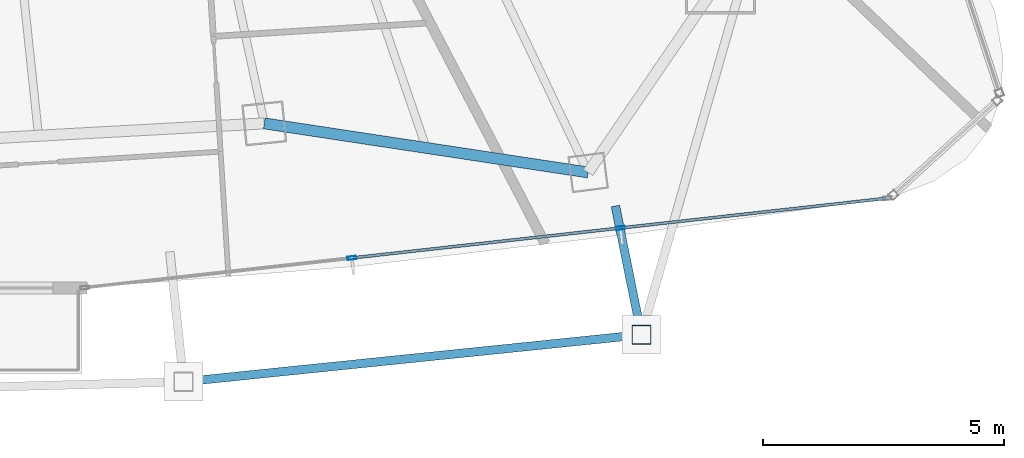
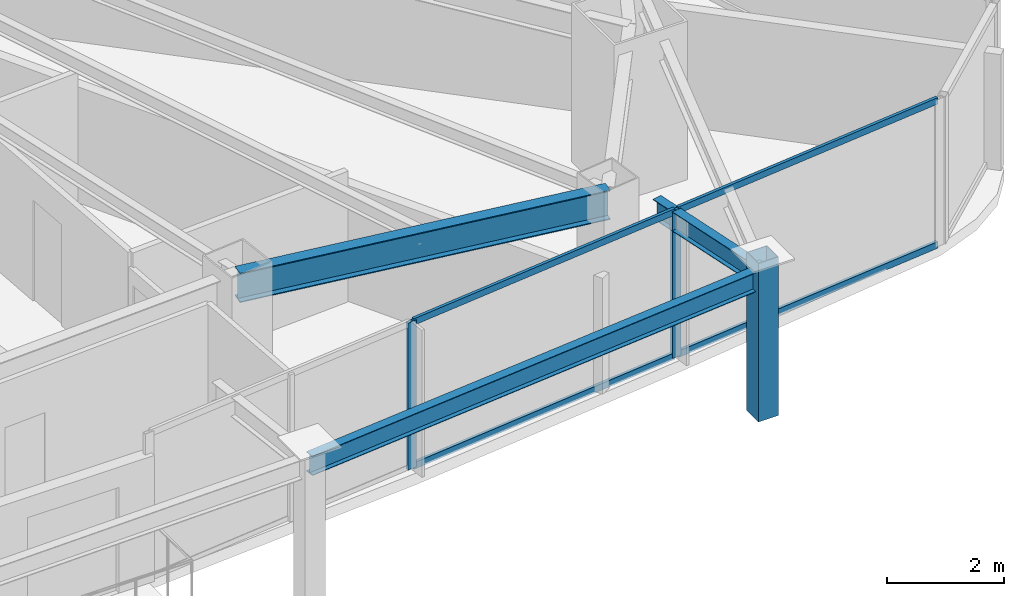
# One storey, part 12 of 29: 7 members, 3 beams, 1 element without a shape of its own.
"""IFC4 building model written with IfcOpenShell, lengths in metres."""

import ifcopenshell
import ifcopenshell.guid

model = None  # the IFC model being written
_history = None  # IfcOwnerHistory: only IFC2X3 demands one
_inside = {}  # id of a spatial element -> (the spatial element, [elements in it])
_under = {}  # id of a project, library or spatial element -> (it, [spatial elements below it])
_declared = {}  # id of a project -> (the project, [libraries it declares])
_typed = {}  # id of a type object -> (the type object, [elements of that type])
_made_of = {}  # id of a material, layer set ... -> (it, [elements and type objects made of it])


def new_model(schema):
    """Start an empty IFC model of exactly this schema.

    Asked for "IFC4X3", IfcOpenShell would pick the latest addendum, in which some entities
    have other attributes; the version numbers below select the first issue.
    IFC2X3 requires an IfcOwnerHistory on every rooted entity: one is made here for all.
    """
    global model, _history
    if schema == "IFC4X3":
        model = ifcopenshell.file(schema_version=(4, 3, 0, 0))
    else:
        model = ifcopenshell.file(schema=schema)
    _inside.clear()
    _under.clear()
    _declared.clear()
    _typed.clear()
    _made_of.clear()
    _history = None
    if model.schema == "IFC2X3":
        org = make("IfcOrganization", Name="unknown")
        user = make(
            "IfcPersonAndOrganization",
            ThePerson=make("IfcPerson", FamilyName="unknown"),
            TheOrganization=org,
        )
        app = make(
            "IfcApplication",
            ApplicationDeveloper=org,
            Version="unknown",
            ApplicationFullName="unknown",
            ApplicationIdentifier="unknown",
        )
        _history = make(
            "IfcOwnerHistory",
            OwningUser=user,
            OwningApplication=app,
            ChangeAction="ADDED",
            CreationDate=0,
        )
    return model


def make(cls, **values):
    """One entity of the class cls with the attributes given. An attribute that is None is left unset."""
    return model.create_entity(
        cls, **{name: value for name, value in values.items() if value is not None}
    )


def rooted(cls, **values):
    """An entity with a GlobalId (a new one), such as an element, a storey or a relation."""
    return make(cls, GlobalId=ifcopenshell.guid.new(), OwnerHistory=_history, **values)


def si_unit(unit_type, name, prefix=None):
    """IfcSIUnit, for example si_unit("LENGTHUNIT", "METRE", prefix="MILLI")."""
    return make("IfcSIUnit", UnitType=unit_type, Prefix=prefix, Name=name)


def assignment(units):
    """IfcUnitAssignment: the units of a project."""
    return None if units is None else make("IfcUnitAssignment", Units=units)


def point(xyz):
    """IfcCartesianPoint."""
    return None if xyz is None else make("IfcCartesianPoint", Coordinates=xyz)


def direction(xyz):
    """IfcDirection."""
    return None if xyz is None else make("IfcDirection", DirectionRatios=xyz)


def frame(location, z_axis=None, x_axis=None):
    """IfcAxis2Placement3D, a coordinate frame: its origin and axes. An axis left out is left unset."""
    return make(
        "IfcAxis2Placement3D",
        Location=point(location),
        Axis=direction(z_axis),
        RefDirection=direction(x_axis),
    )


def frame_2d(location, x_axis=None):
    """IfcAxis2Placement2D, a coordinate frame in the plane: its origin and x axis."""
    return make(
        "IfcAxis2Placement2D", Location=point(location), RefDirection=direction(x_axis)
    )


def origin():
    """The frame at (0, 0, 0) with its axes left unset."""
    return frame((0.0, 0.0, 0.0))


def origin_2d():
    """The frame at (0, 0) in the plane with its x axis left unset."""
    return frame_2d((0.0, 0.0))


def place(relative_to, where):
    """IfcLocalPlacement: puts the frame where relative to a parent placement (None: the world)."""
    return make(
        "IfcLocalPlacement", PlacementRelTo=relative_to, RelativePlacement=where
    )


def context(
    kind, dimensions, precision=None, world=None, true_north=None, identifier=None
):
    """IfcGeometricRepresentationContext, for example the 3D "Model" context."""
    return make(
        "IfcGeometricRepresentationContext",
        ContextIdentifier=identifier,
        ContextType=kind,
        CoordinateSpaceDimension=dimensions,
        Precision=precision,
        WorldCoordinateSystem=world,
        TrueNorth=true_north,
    )


def subcontext(parent, identifier, kind, view, scale=None):
    """IfcGeometricRepresentationSubContext, for example "Body" below "Model"."""
    return make(
        "IfcGeometricRepresentationSubContext",
        ContextIdentifier=identifier,
        ContextType=kind,
        ParentContext=parent,
        TargetScale=scale,
        TargetView=view,
    )


def project(units=None, contexts=None):
    """IfcProject with its units and contexts."""
    return rooted(
        "IfcProject",
        Name="project",
        RepresentationContexts=contexts,
        UnitsInContext=assignment(units),
    )


def spatial(cls, under=None, at=None, **own):
    """A site, building, storey or space (cls), placed at a placement, below another one or the project."""
    s = rooted(cls, ObjectPlacement=at, **own)
    if under is not None:
        _under.setdefault(under.id(), (under, []))[1].append(s)
    return s


def profile(cls, at=None, kind="AREA", **sizes):
    """A parametric profile (cls). Its sizes go by their IFC names, for example OverallWidth=200.0."""
    return make(cls, ProfileType=kind, Position=at, **sizes)


def hollow_rectangle(**sizes):
    """IfcRectangleHollowProfileDef."""
    return profile("IfcRectangleHollowProfileDef", **sizes)


def i_section(**sizes):
    """IfcIShapeProfileDef."""
    return profile("IfcIShapeProfileDef", **sizes)


def extrude(swept, where, along, depth):
    """IfcExtrudedAreaSolid: the profile swept, set in the frame where, extruded along a direction by depth."""
    return make(
        "IfcExtrudedAreaSolid",
        SweptArea=swept,
        Position=where,
        ExtrudedDirection=direction(along),
        Depth=depth,
    )


def shape(context_of_items, identifier, shape_type, items):
    """IfcShapeRepresentation: the items that make up one representation, for example the "Body"."""
    return make(
        "IfcShapeRepresentation",
        ContextOfItems=context_of_items,
        RepresentationIdentifier=identifier,
        RepresentationType=shape_type,
        Items=items,
    )


def material(Name=None, Category=None):
    """IfcMaterial."""
    return make("IfcMaterial", Name=Name, Category=Category)


def layer(
    of_material, thickness, ventilated=None, Name=None, Category=None, Priority=None
):
    """IfcMaterialLayer: one layer of a wall or slab, of a material (None: an air gap)."""
    return make(
        "IfcMaterialLayer",
        Material=of_material,
        LayerThickness=thickness,
        IsVentilated=ventilated,
        Name=Name,
        Category=Category,
        Priority=Priority,
    )


def layer_set(layers, Name=None):
    """IfcMaterialLayerSet."""
    return make("IfcMaterialLayerSet", MaterialLayers=layers, LayerSetName=Name)


def material_profile(
    of_material, cross_section, Name=None, Category=None, Priority=None
):
    """IfcMaterialProfile: a cross section and its material."""
    return make(
        "IfcMaterialProfile",
        Name=Name,
        Material=of_material,
        Profile=cross_section,
        Priority=Priority,
        Category=Category,
    )


def profile_set(profiles, Name=None, composite=None):
    """IfcMaterialProfileSet."""
    return make(
        "IfcMaterialProfileSet",
        Name=Name,
        MaterialProfiles=profiles,
        CompositeProfile=composite,
    )


def made_of(thing, what):
    """Note that an element or type object is made of a material, layer set ...; save() writes the relation."""
    if what is not None:
        _made_of.setdefault(what.id(), (what, []))[1].append(thing)
    return thing


def type_object(cls, material=None, **own):
    """A type object (cls), such as IfcWallType, which elements share."""
    return made_of(rooted(cls, **own), material)


def element(
    cls,
    number,
    at=None,
    inside=None,
    cuts=None,
    type_object=None,
    material=None,
    context=None,
    identifier="Body",
    shape_type=None,
    held_by="IfcProductDefinitionShape",
    body=None,
    shapes=None,
    **own,
):
    """One element of the class cls, such as IfcWall. Its Tag is "e" and its number.

    at: its placement. inside: the storey or other place that contains it. cuts: it is an
    opening in that element (IfcRelVoidsElement). A single representation is given by context,
    identifier, shape_type and body (its items); several are given by shapes. held_by: the class
    of the entity that holds the representations. save() writes the other relations.
    """
    e = rooted(cls, Tag="e%d" % number, ObjectPlacement=at, **own)
    if body is not None:
        shapes = [shape(context, identifier, shape_type, body)]
    if shapes is not None:
        e.Representation = make(held_by, Representations=shapes)
    if inside is not None:
        _inside.setdefault(inside.id(), (inside, []))[1].append(e)
    if cuts is not None:
        rooted(
            "IfcRelVoidsElement", RelatingBuildingElement=cuts, RelatedOpeningElement=e
        )
    if type_object is not None:
        _typed.setdefault(type_object.id(), (type_object, []))[1].append(e)
    return made_of(e, material)


def aggregate(whole, parts):
    """IfcRelAggregates: a whole, such as a stair, and the parts it consists of."""
    return rooted("IfcRelAggregates", RelatingObject=whole, RelatedObjects=parts)


def save(model, path):
    """Write the relations noted so far, then the file.

    IfcRelAggregates (storeys below a building ...), IfcRelContainedInSpatialStructure (elements
    in a storey), IfcRelDefinesByType, IfcRelAssociatesMaterial and IfcRelDeclares: one each for
    every whole, place, type object, material and project.
    """
    for whole, parts in _under.values():
        aggregate(whole, parts)
    for where, things in _inside.values():
        rooted(
            "IfcRelContainedInSpatialStructure",
            RelatedElements=things,
            RelatingStructure=where,
        )
    for kind, things in _typed.values():
        rooted("IfcRelDefinesByType", RelatedObjects=things, RelatingType=kind)
    for what, things in _made_of.values():
        rooted("IfcRelAssociatesMaterial", RelatedObjects=things, RelatingMaterial=what)
    for by, libraries in _declared.values():
        rooted("IfcRelDeclares", RelatingContext=by, RelatedDefinitions=libraries)
    model.write(path)


model = new_model("IFC4")

# Units and contexts
model_context = context("Model", 3, precision=1e-05, world=origin(), true_north=direction((0.0, 1.0)))
body_context = subcontext(model_context, "Body", "Model", "MODEL_VIEW")
ifc_project = project(units=[si_unit("LENGTHUNIT", "METRE"), si_unit("AREAUNIT", "SQUARE_METRE"), si_unit("VOLUMEUNIT", "CUBIC_METRE"), si_unit("PLANEANGLEUNIT", "RADIAN"), si_unit("MASSUNIT", "GRAM", prefix="KILO")], contexts=[model_context])

# Site, building, storey
site_placement = place(None, origin())
site = spatial("IfcSite", under=ifc_project, at=site_placement, CompositionType="ELEMENT")
building_placement = place(site_placement, origin())
building = spatial("IfcBuilding", under=site, at=building_placement, Name="Orvanel Arch Residences", CompositionType="ELEMENT")
storey_placement = place(building_placement, frame((0.0, 0.0, 177.050048828125)))
storey = spatial("IfcBuildingStorey", under=building, at=storey_placement, Name="L50", CompositionType="ELEMENT", Elevation=177.050048828125)

# Curtain wall, members
ifc_material_1 = material(Name="Bronze-anodised aluminium AA6063-T6", Category="aluminium")
ifc_layer = layer(ifc_material_1, 0.179931640625)
ifc_layer_set = layer_set([ifc_layer], Name="Bronze-anodised aluminium AA6063-T6")
curtain_wall_type = type_object("IfcCurtainWallType", Name="CW3-MID-SYS", PredefinedType="NOTDEFINED", material=ifc_layer_set)
curtain_wall_placement = place(storey_placement, origin())
curtain_wall = element("IfcCurtainWall", 1, at=curtain_wall_placement, inside=storey, type_object=curtain_wall_type, Name="L50 CW3-MID-SYS Unitised Curtain Wall", PredefinedType="NOTDEFINED")
ifc_material_profile_1 = material_profile(ifc_material_1, hollow_rectangle(XDim=0.070068359375, YDim=0.179931640625, WallThickness=0.00439453125, at=origin_2d()), Name="ALU180x70x4.5")
ifc_profile_set_1 = profile_set([ifc_material_profile_1], Name="Bronze-anodised aluminium AA6063-T6")
member_type_1 = type_object("IfcMemberType", Name="MUL-180x70", PredefinedType="MULLION", material=ifc_profile_set_1)
member_1_placement = place(storey_placement, frame((44.163330078125, 4.567626953125, 0.0), z_axis=(0.0, 0.0, 1.0), x_axis=(-0.110836581045, 0.993838645003, 0.0)))
member_1 = element("IfcMember", 2, at=member_1_placement, type_object=member_type_1, Name="CW-S3 mullion 2", PredefinedType="MULLION", context=body_context, shape_type="SweptSolid", body=[
    extrude(hollow_rectangle(XDim=0.070068359375, YDim=0.179931640625, WallThickness=0.00439453125, at=origin_2d()), origin(), (0.0, 0.0, 1.0), 3.06005859375),
])
member_2_placement = place(storey_placement, frame((49.728759765625, 5.188232421875, 0.0), z_axis=(0.0, 0.0, 1.0), x_axis=(-0.110836581045, 0.993838645003, 0.0)))
member_2 = element("IfcMember", 3, at=member_2_placement, type_object=member_type_1, Name="CW-S3 mullion 3", PredefinedType="MULLION", context=body_context, shape_type="SweptSolid", body=[
    extrude(hollow_rectangle(XDim=0.070068359375, YDim=0.179931640625, WallThickness=0.00439453125, at=origin_2d()), origin(), (0.0, 0.0, 1.0), 3.06005859375),
])

# Beams
ifc_material_2 = material(Name="Structural steel AS/NZS 3679.1 Grade 300 (300 MPa)", Category="steel")
ifc_material_profile_2 = material_profile(ifc_material_2, i_section(OverallWidth=0.177978515625, OverallDepth=0.406005859375, WebThickness=0.0078125, FlangeThickness=0.0126953125, at=origin_2d()), Name="410UB59.7")
ifc_profile_set_2 = profile_set([ifc_material_profile_2], Name="Structural steel AS/NZS 3679.1 Grade 300 (300 MPa)")
beam_type_1 = type_object("IfcBeamType", Name="OB-410UB-EXT", PredefinedType="SPANDREL", material=ifc_profile_set_2)
beam_1_placement = place(storey_placement, frame((40.677978515625, 2.0029296875, 2.85693359375), z_axis=(0.994767702697, 0.102162701958, 0.0), x_axis=(-0.102162701958, 0.994767702697, 0.0)))
element("IfcBeam", 4, at=beam_1_placement, inside=storey, type_object=beam_type_1, Name="L50 Outer Perimeter Floor Ring Beam 07", PredefinedType="SPANDREL", context=body_context, shape_type="SweptSolid", body=[
    extrude(i_section(OverallWidth=0.177978515625, OverallDepth=0.406005859375, WebThickness=0.0078125, FlangeThickness=0.0126953125, at=origin_2d()), origin(), (0.0, 0.0, 1.0), 9.534912109375),
])
beam_2_placement = place(storey_placement, frame((49.6240234375, 5.64501953125, 2.85693359375), z_axis=(0.198047657535, -0.980192392005, 0.0), x_axis=(0.980192392005, 0.198047657535, 0.0)))
element("IfcBeam", 5, at=beam_2_placement, inside=storey, type_object=beam_type_1, Name="L50 Outer Frame Radial Tie Beam 08", PredefinedType="SPANDREL", context=body_context, shape_type="SweptSolid", body=[
    extrude(i_section(OverallWidth=0.177978515625, OverallDepth=0.406005859375, WebThickness=0.0078125, FlangeThickness=0.0126953125, at=origin_2d()), origin(), (0.0, 0.0, 1.0), 2.721923828125),
])
ifc_material_profile_3 = material_profile(ifc_material_2, i_section(OverallWidth=0.22900390625, OverallDepth=0.612060546875, WebThickness=0.011962890625, FlangeThickness=0.01953125, at=origin_2d()), Name="610UB125")
ifc_profile_set_3 = profile_set([ifc_material_profile_3], Name="Structural steel AS/NZS 3679.1 Grade 300 (300 MPa)")
beam_type_2 = type_object("IfcBeamType", Name="SP-610UB", PredefinedType="SPANDREL", material=ifc_profile_set_3)
beam_3_placement = place(storey_placement, frame((42.35107421875, 7.35498046875, 2.75390625), z_axis=(0.988726323014, -0.149733958002, 0.0), x_axis=(0.149733958002, 0.988726323014, 0.0)))
element("IfcBeam", 6, at=beam_3_placement, inside=storey, type_object=beam_type_2, Name="L50 Perimeter Spandrel Beam 07", PredefinedType="SPANDREL", context=body_context, shape_type="SweptSolid", body=[
    extrude(i_section(OverallWidth=0.22900390625, OverallDepth=0.612060546875, WebThickness=0.011962890625, FlangeThickness=0.01953125, at=origin_2d()), origin(), (0.0, 0.0, 1.0), 6.784423828125),
])

# Member
ifc_material_3 = material(Name="Structural steel AS/NZS 1163 C450L0 (Grade 450)", Category="steel")
ifc_material_profile_4 = material_profile(ifc_material_3, hollow_rectangle(XDim=0.39990234375, YDim=0.39990234375, WallThickness=0.01611328125, at=origin_2d()), Name="SHS400x400x16")
ifc_profile_set_4 = profile_set([ifc_material_profile_4], Name="Structural steel AS/NZS 1163 C450L0 (Grade 450)")
member_type_2 = type_object("IfcMemberType", Name="ST-400SHS-EXT", PredefinedType="STRUT", material=ifc_profile_set_4)
member_3_placement = place(storey_placement, frame((50.1630859375, 2.97705078125, 0.0), z_axis=(0.0, 0.0, 1.0), x_axis=(1.0, 0.0, 0.0)))
element("IfcMember", 7, at=member_3_placement, inside=storey, type_object=member_type_2, Name="L50 Outer Perimeter Frame Post 08", PredefinedType="STRUT", context=body_context, shape_type="SweptSolid", body=[
    extrude(hollow_rectangle(XDim=0.39990234375, YDim=0.39990234375, WallThickness=0.01611328125, at=origin_2d()), origin(), (0.0, 0.0, 1.0), 3.300048828125),
])

ifc_material_profile_5 = material_profile(ifc_material_1, hollow_rectangle(XDim=0.06005859375, YDim=0.135009765625, WallThickness=0.00390625, at=origin_2d()), Name="ALU135x60x4")
ifc_profile_set_5 = profile_set([ifc_material_profile_5], Name="Bronze-anodised aluminium AA6063-T6")
member_type_3 = type_object("IfcMemberType", Name="TRN-135x60", PredefinedType="USERDEFINED", material=ifc_profile_set_5)
member_4_placement = place(storey_placement, frame((44.197998046875, 4.571533203125, 0.030029296875), z_axis=(0.993836263874, 0.110857929838, 0.0), x_axis=(-0.110857929838, 0.993836263874, 0.0)))
member_4 = element("IfcMember", 8, at=member_4_placement, type_object=member_type_3, Name="CW-S3 transom 2.1", ObjectType="TRANSOM", PredefinedType="USERDEFINED", context=body_context, shape_type="SweptSolid", body=[
    extrude(hollow_rectangle(XDim=0.06005859375, YDim=0.135009765625, WallThickness=0.00390625, at=origin_2d()), origin(), (0.0, 0.0, 1.0), 5.530029296875),
])

member_5_placement = place(storey_placement, frame((44.197998046875, 4.571533203125, 3.030029296875), z_axis=(0.993836263874, 0.110857929838, 0.0), x_axis=(-0.110857929838, 0.993836263874, 0.0)))
member_5 = element("IfcMember", 9, at=member_5_placement, type_object=member_type_3, Name="CW-S3 transom 2.2", ObjectType="TRANSOM", PredefinedType="USERDEFINED", context=body_context, shape_type="SweptSolid", body=[
    extrude(hollow_rectangle(XDim=0.06005859375, YDim=0.135009765625, WallThickness=0.00390625, at=origin_2d()), origin(), (0.0, 0.0, 1.0), 5.530029296875),
])

member_6_placement = place(storey_placement, frame((49.763427734375, 5.192138671875, 0.030029296875), z_axis=(0.993836503728, 0.110855779542, 0.0), x_axis=(-0.110855779542, 0.993836503728, 0.0)))
member_6 = element("IfcMember", 10, at=member_6_placement, type_object=member_type_3, Name="CW-S3 transom 3.1", ObjectType="TRANSOM", PredefinedType="USERDEFINED", context=body_context, shape_type="SweptSolid", body=[
    extrude(hollow_rectangle(XDim=0.06005859375, YDim=0.135009765625, WallThickness=0.00390625, at=origin_2d()), origin(), (0.0, 0.0, 1.0), 5.494873046875),
])

member_7_placement = place(storey_placement, frame((49.763427734375, 5.192138671875, 3.030029296875), z_axis=(0.993836503728, 0.110855779542, 0.0), x_axis=(-0.110855779542, 0.993836503728, 0.0)))
member_7 = element("IfcMember", 11, at=member_7_placement, type_object=member_type_3, Name="CW-S3 transom 3.2", ObjectType="TRANSOM", PredefinedType="USERDEFINED", context=body_context, shape_type="SweptSolid", body=[
    extrude(hollow_rectangle(XDim=0.06005859375, YDim=0.135009765625, WallThickness=0.00390625, at=origin_2d()), origin(), (0.0, 0.0, 1.0), 5.494873046875),
])

aggregate(curtain_wall, [member_1, member_2, member_4, member_5, member_6, member_7])

save(model, "model.ifc")
